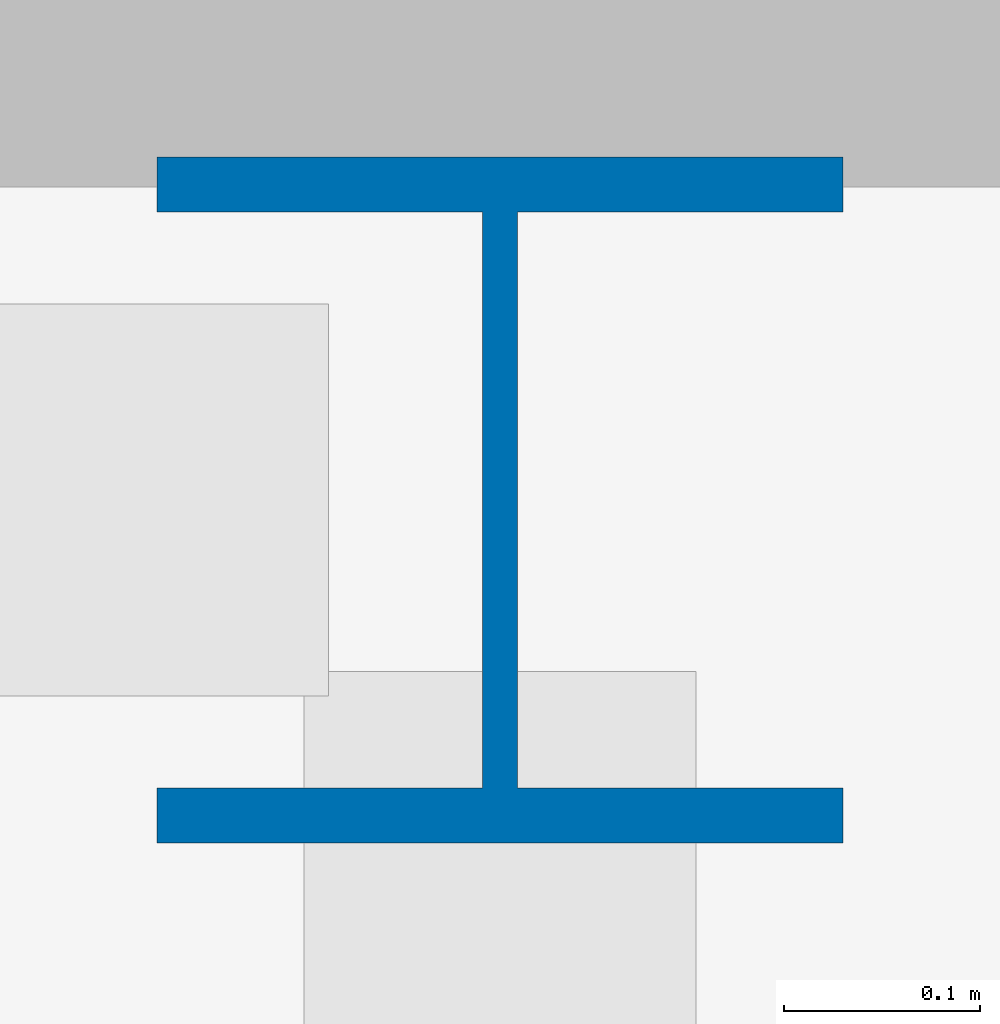
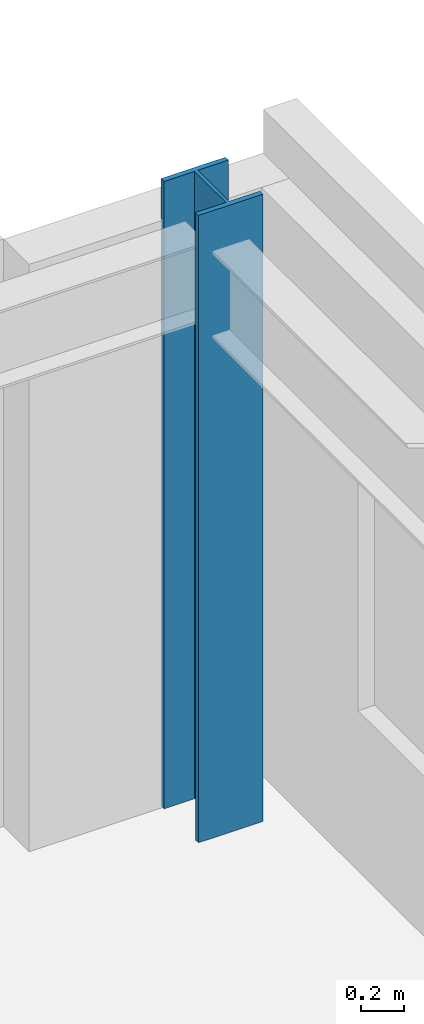
# One storey, part 4 of 21: 1 column.
"""IFC4 building model written with IfcOpenShell, lengths in metres."""

from ifc_helpers import new_model, si_unit, direction, frame, origin, origin_2d, place, context, subcontext, project, spatial, i_section, extrude, source, transform, mapped, material, material_profile, profile_set, type_object, element, save


model = new_model("IFC4")

# Units and contexts
model_context = context("Model", 3, precision=1e-05, world=origin(), true_north=direction((0.0, 1.0)))
body_context = subcontext(model_context, "Body", "Model", "MODEL_VIEW")
ifc_project = project(units=[si_unit("LENGTHUNIT", "METRE"), si_unit("AREAUNIT", "SQUARE_METRE"), si_unit("VOLUMEUNIT", "CUBIC_METRE"), si_unit("PLANEANGLEUNIT", "RADIAN"), si_unit("MASSUNIT", "GRAM", prefix="KILO")], contexts=[model_context])

# Site, building, storey
site_placement = place(None, origin())
site = spatial("IfcSite", under=ifc_project, at=site_placement, CompositionType="ELEMENT")
building_placement = place(site_placement, origin())
building = spatial("IfcBuilding", under=site, at=building_placement, Name="Trelvane Seafront Commons", CompositionType="ELEMENT")
storey_placement = place(building_placement, frame((0.0, 0.0, 248.699951171875)))
storey = spatial("IfcBuildingStorey", under=building, at=storey_placement, Name="L64", CompositionType="ELEMENT", Elevation=248.699951171875)

# Column
ifc_material = material(Name="Steel SM355 (S355)", Category="steel")
ifc_material_profile = material_profile(ifc_material, i_section(OverallWidth=0.35009765625, OverallDepth=0.35009765625, WebThickness=0.01806640625, FlangeThickness=0.028076171875, at=origin_2d()), Name="HD-350x350x18x28")
ifc_profile_set = profile_set([ifc_material_profile], Name="Steel SM355 (S355)")
column_type = type_object("IfcColumnType", Name="STR-COL-HD350", PredefinedType="COLUMN", material=ifc_profile_set)
shared_shape = source(origin(), body_context, "Body", "SweptSolid", [
    extrude(i_section(OverallWidth=0.35009765625, OverallDepth=0.35009765625, WebThickness=0.01806640625, FlangeThickness=0.028076171875, at=origin_2d()), origin(), (0.0, 0.0, 1.0), 3.60009765625),
])
column_placement = place(storey_placement, frame((65.60009765625, 45.10009765625, 0.0), z_axis=(0.0, 0.0, 1.0), x_axis=(1.0, 0.0, 0.0)))
element("IfcColumn", 1, at=column_placement, inside=storey, type_object=column_type, Name="L64 Column TC-CN65.6", PredefinedType="COLUMN", context=body_context, shape_type="MappedRepresentation", body=[
    mapped(shared_shape, transform((0.0, 0.0, 0.0), x_axis=(1.0, 0.0, 0.0), y_axis=(0.0, 1.0, 0.0), z_axis=(0.0, 0.0, 1.0), scale=1.0)),
])

save(model, "model.ifc")
